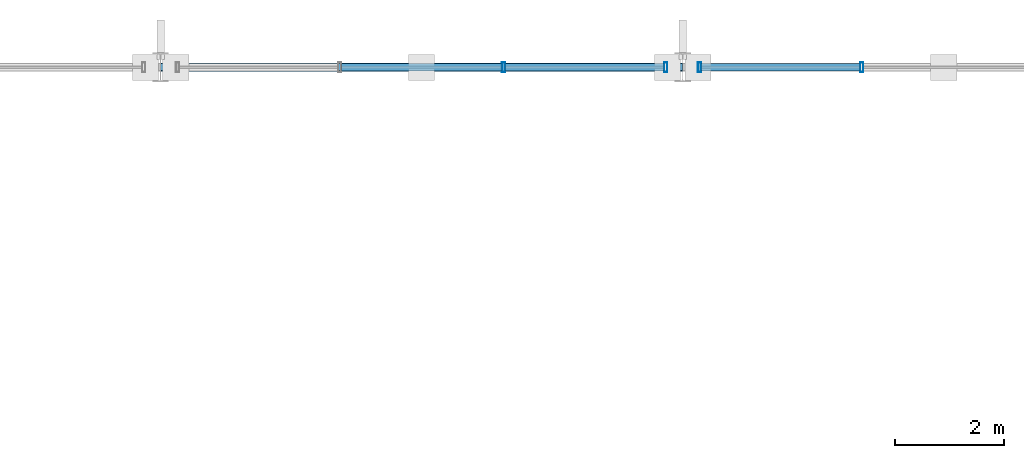
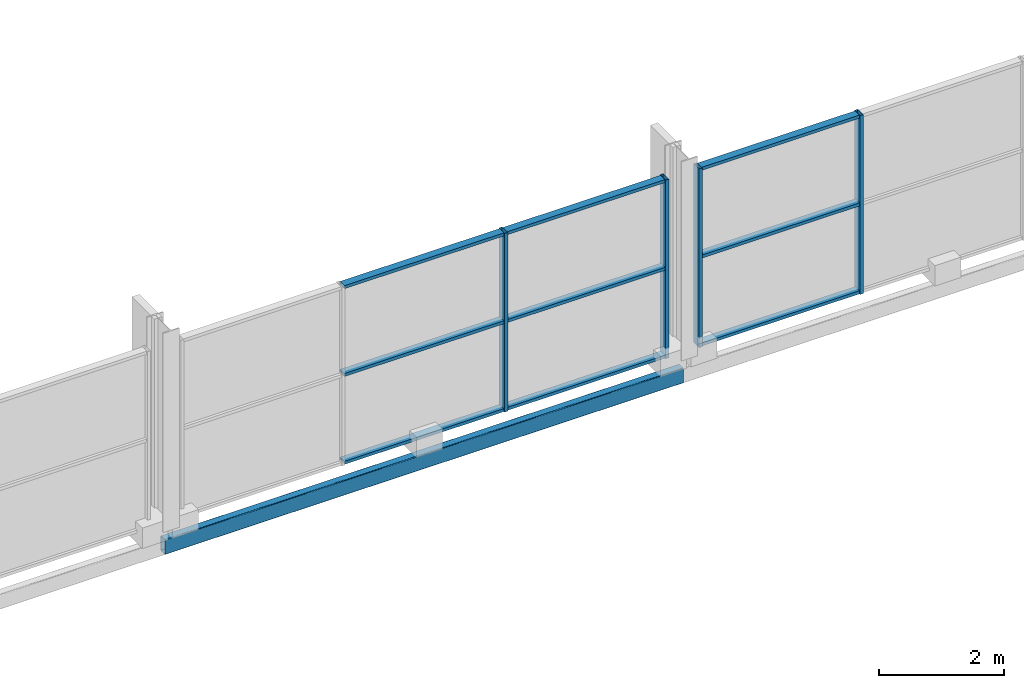
# One storey, part 62 of 117: 13 members, 1 beam, 2 elements without a shape of their own.
"""IFC4 building model written with IfcOpenShell, lengths in metres."""

from ifc_helpers import new_model, si_unit, direction, frame, origin, origin_2d, place, context, subcontext, project, spatial, hollow_rectangle, extrude, material, material_profile, profile_set, type_object, element, aggregate, save


model = new_model("IFC4")

# Units and contexts
model_context = context("Model", 3, precision=1e-05, world=origin(), true_north=direction((0.0, 1.0)))
body_context = subcontext(model_context, "Body", "Model", "MODEL_VIEW")
ifc_project = project(units=[si_unit("LENGTHUNIT", "METRE"), si_unit("AREAUNIT", "SQUARE_METRE"), si_unit("VOLUMEUNIT", "CUBIC_METRE"), si_unit("PLANEANGLEUNIT", "RADIAN"), si_unit("MASSUNIT", "GRAM", prefix="KILO")], contexts=[model_context])

# Site, building, storey
site_placement = place(None, origin())
site = spatial("IfcSite", under=ifc_project, at=site_placement, CompositionType="ELEMENT")
building_placement = place(site_placement, origin())
building = spatial("IfcBuilding", under=site, at=building_placement, Name="Merenkruunu Market Hall", CompositionType="ELEMENT")
storey_placement = place(building_placement, frame((0.0, 0.0, 10.199951171875)))
storey = spatial("IfcBuildingStorey", under=building, at=storey_placement, Name="L02", CompositionType="ELEMENT", Elevation=10.199951171875)

# Curtain wall, members
ifc_material_1 = material(Name="Powder-coated aluminium", Category="aluminium")
curtain_wall_type = type_object("IfcCurtainWallType", Name="Glazed Curtain Wall CW10", PredefinedType="USERDEFINED", material=ifc_material_1)
curtain_wall_1_placement = place(storey_placement, origin())
curtain_wall_1 = element("IfcCurtainWall", 1, at=curtain_wall_1_placement, inside=storey, type_object=curtain_wall_type, Name="CW-L02-CWM02-064", ObjectType="GLAZED_FACADE", PredefinedType="USERDEFINED")
ifc_material_profile_1 = material_profile(ifc_material_1, hollow_rectangle(XDim=0.06005859375, YDim=0.179931640625, WallThickness=0.00390625, at=origin_2d()), Name="ALU 60x180x4")
ifc_profile_set_1 = profile_set([ifc_material_profile_1], Name="Powder-coated aluminium")
member_type_1 = type_object("IfcMemberType", Name="Curtain Wall Mullion CWM02", PredefinedType="MULLION", material=ifc_profile_set_1)
member_1_placement = place(storey_placement, frame((44.706787109375, 111.60009765625, 0.0), z_axis=(0.0, 0.0, 1.0), x_axis=(1.0, 0.0, 0.0)))
member_1 = element("IfcMember", 2, at=member_1_placement, type_object=member_type_1, Name="CW10 mullion 3", PredefinedType="MULLION", context=body_context, shape_type="SweptSolid", body=[
    extrude(hollow_rectangle(XDim=0.06005859375, YDim=0.179931640625, WallThickness=0.00390625, at=origin_2d()), origin(), (0.0, 0.0, 1.0), 3.5),
])
member_2_placement = place(storey_placement, frame((47.68994140625, 111.60009765625, 0.0), z_axis=(0.0, 0.0, 1.0), x_axis=(1.0, 0.0, 0.0)))
member_2 = element("IfcMember", 3, at=member_2_placement, type_object=member_type_1, Name="CW10 mullion 4", PredefinedType="MULLION", context=body_context, shape_type="SweptSolid", body=[
    extrude(hollow_rectangle(XDim=0.06005859375, YDim=0.179931640625, WallThickness=0.00390625, at=origin_2d()), origin(), (0.0, 0.0, 1.0), 3.5),
])

curtain_wall_2_placement = place(storey_placement, origin())
curtain_wall_2 = element("IfcCurtainWall", 4, at=curtain_wall_2_placement, inside=storey, type_object=curtain_wall_type, Name="CW-L02-CWM02-066", ObjectType="GLAZED_FACADE", PredefinedType="USERDEFINED")
member_3_placement = place(storey_placement, frame((48.31005859375, 111.60009765625, 0.0), z_axis=(0.0, 0.0, 1.0), x_axis=(1.0, 0.0, 0.0)))
member_3 = element("IfcMember", 5, at=member_3_placement, type_object=member_type_1, Name="CW10 mullion 1", PredefinedType="MULLION", context=body_context, shape_type="SweptSolid", body=[
    extrude(hollow_rectangle(XDim=0.06005859375, YDim=0.179931640625, WallThickness=0.00390625, at=origin_2d()), origin(), (0.0, 0.0, 1.0), 3.5),
])
member_4_placement = place(storey_placement, frame((51.293212890625, 111.60009765625, 0.0), z_axis=(0.0, 0.0, 1.0), x_axis=(1.0, 0.0, 0.0)))
member_4 = element("IfcMember", 6, at=member_4_placement, type_object=member_type_1, Name="CW10 mullion 2", PredefinedType="MULLION", context=body_context, shape_type="SweptSolid", body=[
    extrude(hollow_rectangle(XDim=0.06005859375, YDim=0.179931640625, WallThickness=0.00390625, at=origin_2d()), origin(), (0.0, 0.0, 1.0), 3.5),
])

# Member
ifc_material_profile_2 = material_profile(ifc_material_1, hollow_rectangle(XDim=0.06005859375, YDim=0.139892578125, WallThickness=0.00390625, at=origin_2d()), Name="ALU 60x140x4")
ifc_profile_set_2 = profile_set([ifc_material_profile_2], Name="Powder-coated aluminium")
member_type_2 = type_object("IfcMemberType", Name="Curtain Wall Transom CWT02", PredefinedType="USERDEFINED", material=ifc_profile_set_2)
member_5_placement = place(storey_placement, frame((41.723388671875, 111.60009765625, 0.030029296875), z_axis=(1.0, 0.0, 0.0), x_axis=(0.0, 0.0, 1.0)))
member_5 = element("IfcMember", 7, at=member_5_placement, type_object=member_type_2, Name="CW10 transom 2.1", ObjectType="TRANSOM", PredefinedType="USERDEFINED", context=body_context, shape_type="SweptSolid", body=[
    extrude(hollow_rectangle(XDim=0.06005859375, YDim=0.139892578125, WallThickness=0.00390625, at=origin_2d()), origin(), (0.0, 0.0, 1.0), 2.953369140625),
])

member_6_placement = place(storey_placement, frame((41.723388671875, 111.60009765625, 1.75), z_axis=(1.0, 0.0, 0.0), x_axis=(0.0, 0.0, 1.0)))
member_6 = element("IfcMember", 8, at=member_6_placement, type_object=member_type_2, Name="CW10 transom 2.2", ObjectType="TRANSOM", PredefinedType="USERDEFINED", context=body_context, shape_type="SweptSolid", body=[
    extrude(hollow_rectangle(XDim=0.06005859375, YDim=0.139892578125, WallThickness=0.00390625, at=origin_2d()), origin(), (0.0, 0.0, 1.0), 2.953369140625),
])

member_7_placement = place(storey_placement, frame((41.723388671875, 111.60009765625, 3.469970703125), z_axis=(1.0, 0.0, 0.0), x_axis=(0.0, 0.0, 1.0)))
member_7 = element("IfcMember", 9, at=member_7_placement, type_object=member_type_2, Name="CW10 transom 2.3", ObjectType="TRANSOM", PredefinedType="USERDEFINED", context=body_context, shape_type="SweptSolid", body=[
    extrude(hollow_rectangle(XDim=0.06005859375, YDim=0.139892578125, WallThickness=0.00390625, at=origin_2d()), origin(), (0.0, 0.0, 1.0), 2.953369140625),
])

member_8_placement = place(storey_placement, frame((44.736572265625, 111.60009765625, 0.030029296875), z_axis=(1.0, 0.0, 0.0), x_axis=(0.0, 0.0, 1.0)))
member_8 = element("IfcMember", 10, at=member_8_placement, type_object=member_type_2, Name="CW10 transom 3.1", ObjectType="TRANSOM", PredefinedType="USERDEFINED", context=body_context, shape_type="SweptSolid", body=[
    extrude(hollow_rectangle(XDim=0.06005859375, YDim=0.139892578125, WallThickness=0.00390625, at=origin_2d()), origin(), (0.0, 0.0, 1.0), 2.92333984375),
])

member_9_placement = place(storey_placement, frame((44.736572265625, 111.60009765625, 1.75), z_axis=(1.0, 0.0, 0.0), x_axis=(0.0, 0.0, 1.0)))
member_9 = element("IfcMember", 11, at=member_9_placement, type_object=member_type_2, Name="CW10 transom 3.2", ObjectType="TRANSOM", PredefinedType="USERDEFINED", context=body_context, shape_type="SweptSolid", body=[
    extrude(hollow_rectangle(XDim=0.06005859375, YDim=0.139892578125, WallThickness=0.00390625, at=origin_2d()), origin(), (0.0, 0.0, 1.0), 2.92333984375),
])

member_10_placement = place(storey_placement, frame((44.736572265625, 111.60009765625, 3.469970703125), z_axis=(1.0, 0.0, 0.0), x_axis=(0.0, 0.0, 1.0)))
member_10 = element("IfcMember", 12, at=member_10_placement, type_object=member_type_2, Name="CW10 transom 3.3", ObjectType="TRANSOM", PredefinedType="USERDEFINED", context=body_context, shape_type="SweptSolid", body=[
    extrude(hollow_rectangle(XDim=0.06005859375, YDim=0.139892578125, WallThickness=0.00390625, at=origin_2d()), origin(), (0.0, 0.0, 1.0), 2.92333984375),
])

aggregate(curtain_wall_1, [member_1, member_2, member_5, member_6, member_7, member_8, member_9, member_10])

member_11_placement = place(storey_placement, frame((48.340087890625, 111.60009765625, 0.030029296875), z_axis=(1.0, 0.0, 0.0), x_axis=(0.0, 0.0, 1.0)))
member_11 = element("IfcMember", 13, at=member_11_placement, type_object=member_type_2, Name="CW10 transom 1.1", ObjectType="TRANSOM", PredefinedType="USERDEFINED", context=body_context, shape_type="SweptSolid", body=[
    extrude(hollow_rectangle(XDim=0.06005859375, YDim=0.139892578125, WallThickness=0.00390625, at=origin_2d()), origin(), (0.0, 0.0, 1.0), 2.92333984375),
])

member_12_placement = place(storey_placement, frame((48.340087890625, 111.60009765625, 1.75), z_axis=(1.0, 0.0, 0.0), x_axis=(0.0, 0.0, 1.0)))
member_12 = element("IfcMember", 14, at=member_12_placement, type_object=member_type_2, Name="CW10 transom 1.2", ObjectType="TRANSOM", PredefinedType="USERDEFINED", context=body_context, shape_type="SweptSolid", body=[
    extrude(hollow_rectangle(XDim=0.06005859375, YDim=0.139892578125, WallThickness=0.00390625, at=origin_2d()), origin(), (0.0, 0.0, 1.0), 2.92333984375),
])

member_13_placement = place(storey_placement, frame((48.340087890625, 111.60009765625, 3.469970703125), z_axis=(1.0, 0.0, 0.0), x_axis=(0.0, 0.0, 1.0)))
member_13 = element("IfcMember", 15, at=member_13_placement, type_object=member_type_2, Name="CW10 transom 1.3", ObjectType="TRANSOM", PredefinedType="USERDEFINED", context=body_context, shape_type="SweptSolid", body=[
    extrude(hollow_rectangle(XDim=0.06005859375, YDim=0.139892578125, WallThickness=0.00390625, at=origin_2d()), origin(), (0.0, 0.0, 1.0), 2.92333984375),
])

aggregate(curtain_wall_2, [member_3, member_4, member_11, member_12, member_13])

# Beam
ifc_material_2 = material(Name="Steel S355J2", Category="steel")
ifc_material_profile_3 = material_profile(ifc_material_2, hollow_rectangle(XDim=0.14990234375, YDim=0.300048828125, WallThickness=0.012451171875, InnerFilletRadius=0.012451171875, OuterFilletRadius=0.02490234375, at=origin_2d()), Name="RHS 300x150x12.5")
ifc_profile_set_3 = profile_set([ifc_material_profile_3], Name="Steel S355J2")
beam_type = type_object("IfcBeamType", Name="Perimeter Spandrel Beam SP03", PredefinedType="SPANDREL", material=ifc_profile_set_3)
beam_placement = place(storey_placement, frame((38.39990234375, 111.60009765625, -0.4599609375), z_axis=(1.0, 0.0, 0.0), x_axis=(0.0, 1.0, 0.0)))
element("IfcBeam", 16, at=beam_placement, inside=storey, type_object=beam_type, Name="BM-L02-SP03-1255", PredefinedType="SPANDREL", context=body_context, shape_type="SweptSolid", body=[
    extrude(hollow_rectangle(XDim=0.14990234375, YDim=0.300048828125, WallThickness=0.012451171875, InnerFilletRadius=0.012451171875, OuterFilletRadius=0.02490234375, at=origin_2d()), origin(), (0.0, 0.0, 1.0), 9.60009765625),
])

save(model, "model.ifc")
